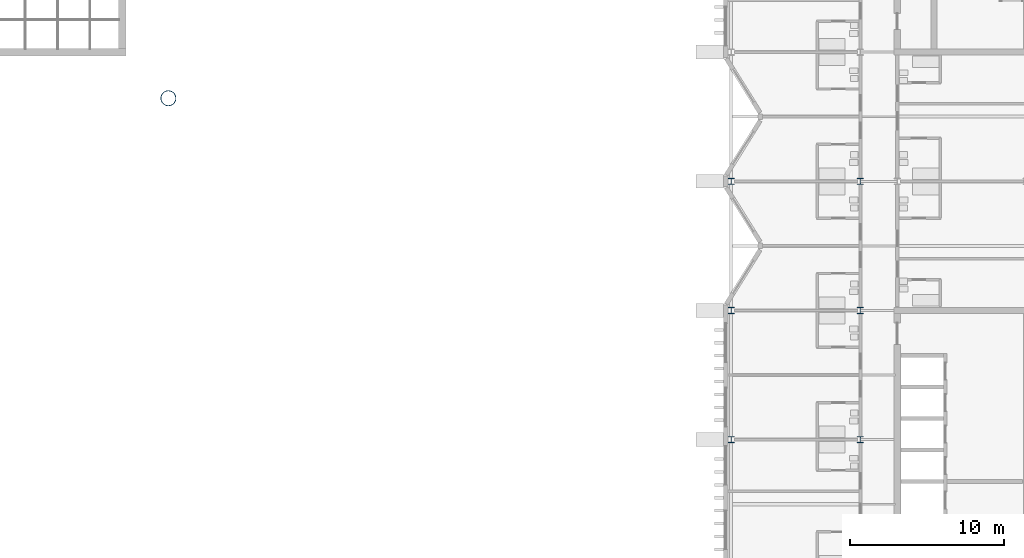
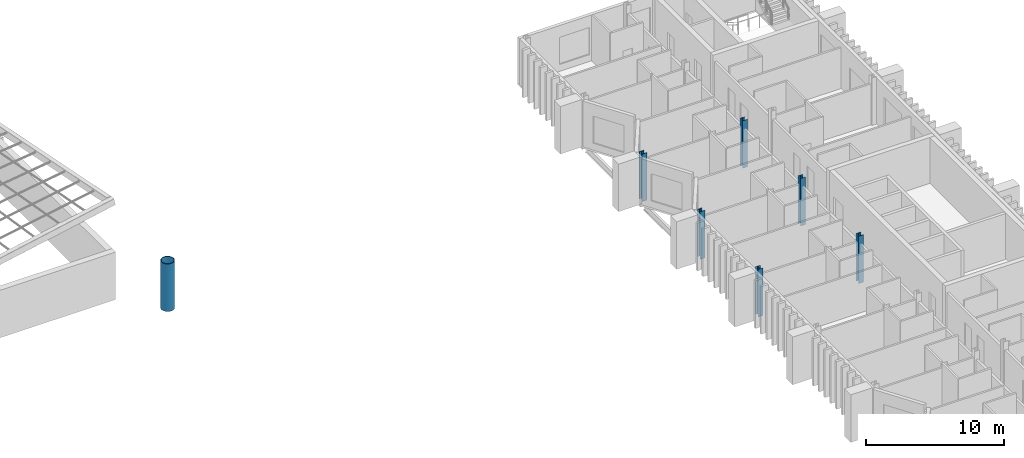
# One storey, part 3 of 20: 7 columns.
"""IFC4 building model written with IfcOpenShell, lengths in metres."""

from ifc_helpers import new_model, si_unit, direction, frame, origin, origin_2d, place, context, subcontext, project, spatial, hollow_circle, i_section, extrude, material, material_profile, profile_set, type_object, element, save


model = new_model("IFC4")

# Units and contexts
model_context = context("Model", 3, precision=1e-05, world=origin(), true_north=direction((0.0, 1.0)))
body_context = subcontext(model_context, "Body", "Model", "MODEL_VIEW")
ifc_project = project(units=[si_unit("LENGTHUNIT", "METRE"), si_unit("AREAUNIT", "SQUARE_METRE"), si_unit("VOLUMEUNIT", "CUBIC_METRE"), si_unit("PLANEANGLEUNIT", "RADIAN"), si_unit("MASSUNIT", "GRAM", prefix="KILO")], contexts=[model_context])

# Site, building, storey
site_placement = place(None, origin())
site = spatial("IfcSite", under=ifc_project, at=site_placement, CompositionType="ELEMENT")
building_placement = place(site_placement, origin())
building = spatial("IfcBuilding", under=site, at=building_placement, Name="Cresset Court Congress Hotel", CompositionType="ELEMENT")
storey_placement = place(building_placement, frame((0.0, 0.0, 27.0)))
storey = spatial("IfcBuildingStorey", under=building, at=storey_placement, Name="L06", CompositionType="ELEMENT", Elevation=27.0)

# Columns
ifc_material_1 = material(Name="Structural steel Q355B", Category="steel")
ifc_material_profile_1 = material_profile(ifc_material_1, hollow_circle(Radius=0.508056640625, WallThickness=0.050048828125, at=origin_2d()), Name="CHS1016x50")
ifc_profile_set_1 = profile_set([ifc_material_profile_1], Name="Structural steel Q355B")
column_type_1 = type_object("IfcColumnType", Name="Mast tube 1016x50", PredefinedType="COLUMN", material=ifc_profile_set_1)
column_placement = place(storey_placement, frame((120.60009765625, 55.800048828125, 0.0), z_axis=(0.0, 0.0, 1.0), x_axis=(1.0, 0.0, 0.0)))
element("IfcColumn", 1, at=column_placement, inside=storey, type_object=column_type_1, Name="Mast M2", PredefinedType="COLUMN", context=body_context, shape_type="SweptSolid", body=[
    extrude(hollow_circle(Radius=0.508056640625, WallThickness=0.050048828125, at=origin_2d()), origin(), (0.0, 0.0, 1.0), 4.199951171875),
])
ifc_material_2 = material(Name="Structural steel Q355B", Category="steel")
ifc_material_profile_2 = material_profile(ifc_material_2, i_section(OverallWidth=0.39990234375, OverallDepth=0.39990234375, WebThickness=0.012939453125, FlangeThickness=0.02099609375, FilletRadius=0.02197265625, at=origin_2d()), Name="HW400x400x13x21")
ifc_profile_set_2 = profile_set([ifc_material_profile_2], Name="Structural steel Q355B")
column_type_2 = type_object("IfcColumnType", Name="Steel column HW400x400x13x21", PredefinedType="COLUMN", material=ifc_profile_set_2)
for number, where, z_axis, x_axis, name in (
    (2, (157.199951171875, 33.60009765625, 0.0), (0.0, 0.0, 1.0), (1.0, 0.0, 0.0), "Column L06 5-20"),
    (3, (157.199951171875, 42.0, 0.0), (0.0, 0.0, 1.0), (1.0, 0.0, 0.0), "Column L06 6-20"),
    (4, (157.199951171875, 50.39990234375, 0.0), (0.0, 0.0, 1.0), (1.0, 0.0, 0.0), "Column L06 7-20"),
    (5, (165.60009765625, 33.60009765625, 0.0), (0.0, 0.0, 1.0), (1.0, 0.0, 0.0), "Column L06 5-21"),
    (6, (165.60009765625, 42.0, 0.0), (0.0, 0.0, 1.0), (1.0, 0.0, 0.0), "Column L06 6-21"),
    (7, (165.60009765625, 50.39990234375, 0.0), (0.0, 0.0, 1.0), (1.0, 0.0, 0.0), "Column L06 7-21"),
):
    element("IfcColumn", number, at=place(storey_placement, frame(where, z_axis=z_axis, x_axis=x_axis)), inside=storey, type_object=column_type_2, Name=name, PredefinedType="COLUMN", context=body_context, shape_type="SweptSolid", body=[
        extrude(i_section(OverallWidth=0.39990234375, OverallDepth=0.39990234375, WebThickness=0.012939453125, FlangeThickness=0.02099609375, FilletRadius=0.02197265625, at=origin_2d()), origin(), (0.0, 0.0, 1.0), 4.199951171875),
    ])

save(model, "model.ifc")
